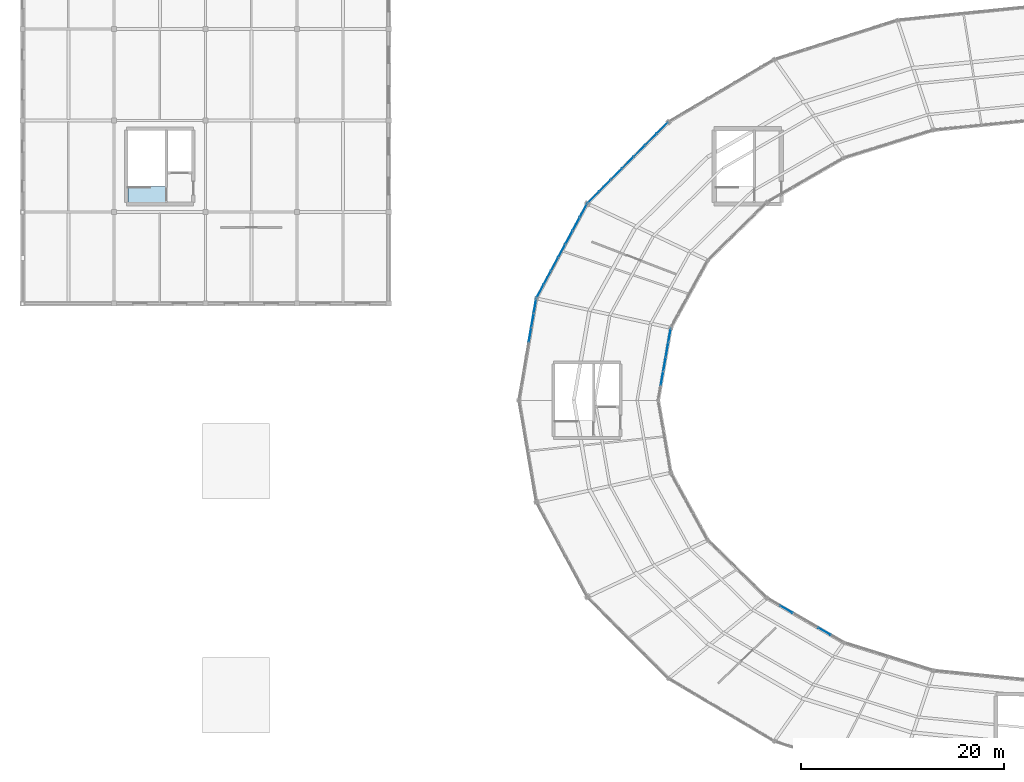
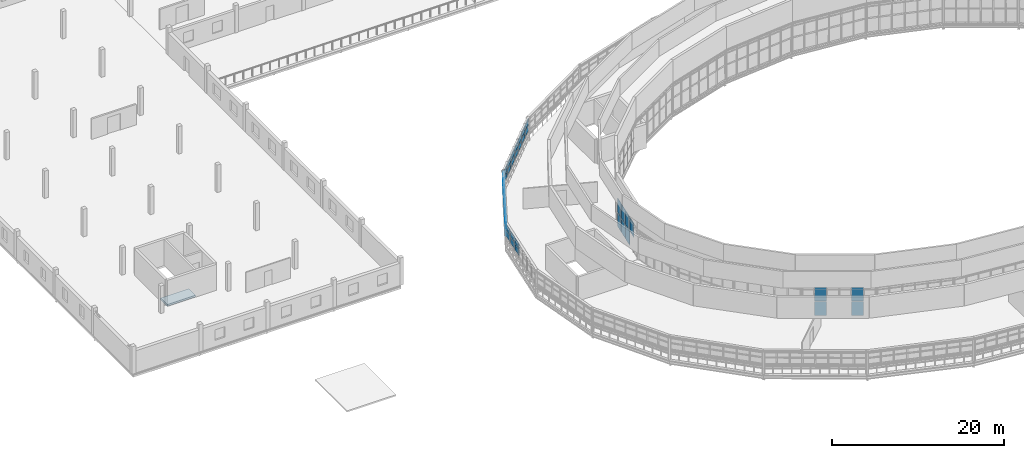
# One storey, part 80 of 123: 45 plates, 1 slab, 5 elements without a shape of their own.
"""IFC4 building model written with IfcOpenShell, lengths in metres."""

from ifc_helpers import new_model, si_unit, direction, frame, origin, origin_2d, place, context, subcontext, project, spatial, polyline, rectangle, outline, extrude, material, layer, layer_set, type_object, element, aggregate, save


model = new_model("IFC4")

# Units and contexts
model_context = context("Model", 3, precision=1e-05, world=origin(), true_north=direction((0.0, 1.0)))
body_context = subcontext(model_context, "Body", "Model", "MODEL_VIEW")
ifc_project = project(units=[si_unit("LENGTHUNIT", "METRE"), si_unit("AREAUNIT", "SQUARE_METRE"), si_unit("VOLUMEUNIT", "CUBIC_METRE"), si_unit("PLANEANGLEUNIT", "RADIAN"), si_unit("MASSUNIT", "GRAM", prefix="KILO")], contexts=[model_context])

# Site, building, storey
site_placement = place(None, origin())
site = spatial("IfcSite", under=ifc_project, at=site_placement, CompositionType="ELEMENT")
building_placement = place(site_placement, origin())
building = spatial("IfcBuilding", under=site, at=building_placement, Name="Kildeholm Park Wholesale Market", CompositionType="ELEMENT")
storey_placement = place(building_placement, frame((0.0, 0.0, 9.60009765625)))
storey = spatial("IfcBuildingStorey", under=building, at=storey_placement, Name="L02", CompositionType="ELEMENT", Elevation=9.60009765625)

# Curtain wall, plates
ifc_material_1 = material(Name="Anodised aluminium and low-E double-glazed glass", Category="aluminium")
curtain_wall_type = type_object("IfcCurtainWallType", Name="Clerestory daylight stick curtain wall CW-02", PredefinedType="NOTDEFINED", material=ifc_material_1)
curtain_wall_1_placement = place(storey_placement, origin())
curtain_wall_1 = element("IfcCurtainWall", 1, at=curtain_wall_1_placement, inside=storey, type_object=curtain_wall_type, Name="Curtain wall CW-V1-IN2-11 CW-0058", PredefinedType="NOTDEFINED")
ifc_material_2 = material(Name="Triple-glazed solar-control glass", Category="glass")
ifc_layer_1 = layer(ifc_material_2, 0.035888671875)
ifc_layer_set_1 = layer_set([ifc_layer_1], Name="Triple-glazed solar-control glass")
plate_type_1 = type_object("IfcPlateType", Name="Curtain-wall panel CWP-2 36 mm", PredefinedType="CURTAIN_PANEL", material=ifc_layer_set_1)
plate_1_placement = place(storey_placement, frame((63.6044921875, 95.8603515625, 0.06005859375), z_axis=(0.0, 0.0, 1.0), x_axis=(-0.172132515628, -0.985073802851, 0.0)))
plate_1 = element("IfcPlate", 2, at=plate_1_placement, type_object=plate_type_1, Name="CW-02 panel 1.1 PLT-0934", PredefinedType="CURTAIN_PANEL", context=body_context, shape_type="SweptSolid", body=[
    extrude(rectangle(XDim=1.339111328125, YDim=0.035888671875, at=origin_2d()), origin(), (0.0, 0.0, 1.0), 1.985107421875),
])
plate_2_placement = place(storey_placement, frame((63.6044921875, 95.8603515625, 2.10498046875), z_axis=(0.0, 0.0, 1.0), x_axis=(-0.172132515628, -0.985073802851, 0.0)))
plate_2 = element("IfcPlate", 3, at=plate_2_placement, type_object=plate_type_1, Name="CW-02 panel 1.2 PLT-0935", PredefinedType="CURTAIN_PANEL", context=body_context, shape_type="SweptSolid", body=[
    extrude(rectangle(XDim=1.339111328125, YDim=0.035888671875, at=origin_2d()), origin(), (0.0, 0.0, 1.0), 1.985107421875),
])
plate_3_placement = place(storey_placement, frame((63.361083984375, 94.46728515625, 0.06005859375), z_axis=(0.0, 0.0, 1.0), x_axis=(-0.172132515628, -0.985073802851, 0.0)))
plate_3 = element("IfcPlate", 4, at=plate_3_placement, type_object=plate_type_1, Name="CW-02 panel 2.1 PLT-0936", PredefinedType="CURTAIN_PANEL", context=body_context, shape_type="SweptSolid", body=[
    extrude(rectangle(XDim=1.369140625, YDim=0.035888671875, at=origin_2d()), origin(), (0.0, 0.0, 1.0), 1.985107421875),
])
plate_4_placement = place(storey_placement, frame((63.361083984375, 94.46728515625, 2.10498046875), z_axis=(0.0, 0.0, 1.0), x_axis=(-0.172132515628, -0.985073802851, 0.0)))
plate_4 = element("IfcPlate", 5, at=plate_4_placement, type_object=plate_type_1, Name="CW-02 panel 2.2 PLT-0937", PredefinedType="CURTAIN_PANEL", context=body_context, shape_type="SweptSolid", body=[
    extrude(rectangle(XDim=1.369140625, YDim=0.035888671875, at=origin_2d()), origin(), (0.0, 0.0, 1.0), 1.985107421875),
])
plate_5_placement = place(storey_placement, frame((63.114990234375, 93.0595703125, 0.06005859375), z_axis=(0.0, 0.0, 1.0), x_axis=(-0.172132515628, -0.985073802851, 0.0)))
plate_5 = element("IfcPlate", 6, at=plate_5_placement, type_object=plate_type_1, Name="CW-02 panel 3.1 PLT-0938", PredefinedType="CURTAIN_PANEL", context=body_context, shape_type="SweptSolid", body=[
    extrude(rectangle(XDim=1.369140625, YDim=0.035888671875, at=origin_2d()), origin(), (0.0, 0.0, 1.0), 1.985107421875),
])
plate_6_placement = place(storey_placement, frame((63.114990234375, 93.0595703125, 2.10498046875), z_axis=(0.0, 0.0, 1.0), x_axis=(-0.172132515628, -0.985073802851, 0.0)))
plate_6 = element("IfcPlate", 7, at=plate_6_placement, type_object=plate_type_1, Name="CW-02 panel 3.2 PLT-0939", PredefinedType="CURTAIN_PANEL", context=body_context, shape_type="SweptSolid", body=[
    extrude(rectangle(XDim=1.369140625, YDim=0.035888671875, at=origin_2d()), origin(), (0.0, 0.0, 1.0), 1.985107421875),
])
plate_7_placement = place(storey_placement, frame((62.868896484375, 91.651611328125, 2.10498046875), z_axis=(0.0, 0.0, 1.0), x_axis=(-0.172132515628, -0.985073802851, 0.0)))
plate_7 = element("IfcPlate", 8, at=plate_7_placement, type_object=plate_type_1, Name="CW-02 panel 4.2 PLT-0941", PredefinedType="CURTAIN_PANEL", context=body_context, shape_type="SweptSolid", body=[
    extrude(rectangle(XDim=1.369140625, YDim=0.035888671875, at=origin_2d()), origin(), (0.0, 0.0, 1.0), 1.985107421875),
])
aggregate(curtain_wall_1, [plate_1, plate_2, plate_3, plate_4, plate_5, plate_6, plate_7])

curtain_wall_2_placement = place(storey_placement, origin())
curtain_wall_2 = element("IfcCurtainWall", 9, at=curtain_wall_2_placement, inside=storey, type_object=curtain_wall_type, Name="Curtain wall CW-V1-IN2-15 CW-0078", PredefinedType="NOTDEFINED")
plate_8_placement = place(storey_placement, frame((75.094482421875, 68.948486328125, 0.06005859375), z_axis=(0.0, 0.0, 1.0), x_axis=(0.865742656621, -0.500489412982, 0.0)))
plate_8 = element("IfcPlate", 10, at=plate_8_placement, type_object=plate_type_1, Name="CW-02 panel 2.1 PLT-1186", PredefinedType="CURTAIN_PANEL", context=body_context, shape_type="SweptSolid", body=[
    extrude(rectangle(XDim=1.3818359375, YDim=0.035888671875, at=origin_2d()), origin(), (0.0, 0.0, 1.0), 1.985107421875),
])
plate_9_placement = place(storey_placement, frame((75.094482421875, 68.948486328125, 2.10498046875), z_axis=(0.0, 0.0, 1.0), x_axis=(0.865742656621, -0.500489412982, 0.0)))
plate_9 = element("IfcPlate", 11, at=plate_9_placement, type_object=plate_type_1, Name="CW-02 panel 2.2 PLT-1187", PredefinedType="CURTAIN_PANEL", context=body_context, shape_type="SweptSolid", body=[
    extrude(rectangle(XDim=1.3818359375, YDim=0.035888671875, at=origin_2d()), origin(), (0.0, 0.0, 1.0), 1.985107421875),
])
plate_10_placement = place(storey_placement, frame((78.839599609375, 66.783447265625, 0.06005859375), z_axis=(0.0, 0.0, 1.0), x_axis=(0.865742656621, -0.500489412982, 0.0)))
plate_10 = element("IfcPlate", 12, at=plate_10_placement, type_object=plate_type_1, Name="CW-02 panel 5.1 PLT-1192", PredefinedType="CURTAIN_PANEL", context=body_context, shape_type="SweptSolid", body=[
    extrude(rectangle(XDim=1.3818359375, YDim=0.035888671875, at=origin_2d()), origin(), (0.0, 0.0, 1.0), 1.985107421875),
])
plate_11_placement = place(storey_placement, frame((78.839599609375, 66.783447265625, 2.10498046875), z_axis=(0.0, 0.0, 1.0), x_axis=(0.865742656621, -0.500489412982, 0.0)))
plate_11 = element("IfcPlate", 13, at=plate_11_placement, type_object=plate_type_1, Name="CW-02 panel 5.2 PLT-1193", PredefinedType="CURTAIN_PANEL", context=body_context, shape_type="SweptSolid", body=[
    extrude(rectangle(XDim=1.3818359375, YDim=0.035888671875, at=origin_2d()), origin(), (0.0, 0.0, 1.0), 1.985107421875),
])
aggregate(curtain_wall_2, [plate_8, plate_9, plate_10, plate_11])

curtain_wall_3_placement = place(storey_placement, origin())
curtain_wall_3 = element("IfcCurtainWall", 14, at=curtain_wall_3_placement, inside=storey, type_object=curtain_wall_type, Name="Curtain wall CW-V1-CL-09 CW-0045", PredefinedType="NOTDEFINED")
ifc_material_3 = material(Name="Fritted solar-control clerestory glass", Category="glass")
ifc_layer_2 = layer(ifc_material_3, 0.031982421875)
ifc_layer_set_2 = layer_set([ifc_layer_2], Name="Fritted solar-control clerestory glass")
plate_type_2 = type_object("IfcPlateType", Name="Curtain-wall panel CWP-4 32 mm", PredefinedType="CURTAIN_PANEL", material=ifc_layer_set_2)
plate_12_placement = place(storey_placement, frame((62.8935546875, 116.260986328125, 1.40966796875), z_axis=(0.0, 0.0, 1.0), x_axis=(-0.705412692399, -0.708796820959, 0.0)))
plate_12 = element("IfcPlate", 15, at=plate_12_placement, type_object=plate_type_2, Name="CW-02 panel 1.1 PLT-0780", PredefinedType="CURTAIN_PANEL", context=body_context, shape_type="SweptSolid", body=[
    extrude(rectangle(XDim=1.51416015625, YDim=0.031982421875, at=origin_2d()), origin(), (0.0, 0.0, 1.0), 0.860107421875),
])
plate_13_placement = place(storey_placement, frame((62.8935546875, 116.260986328125, 2.330078125), z_axis=(0.0, 0.0, 1.0), x_axis=(-0.705412692399, -0.708796820959, 0.0)))
plate_13 = element("IfcPlate", 16, at=plate_13_placement, type_object=plate_type_2, Name="CW-02 panel 1.2 PLT-0781", PredefinedType="CURTAIN_PANEL", context=body_context, shape_type="SweptSolid", body=[
    extrude(rectangle(XDim=1.51416015625, YDim=0.031982421875, at=origin_2d()), origin(), (0.0, 0.0, 1.0), 0.860107421875),
])
plate_14_placement = place(storey_placement, frame((61.772705078125, 115.134521484375, 1.40966796875), z_axis=(0.0, 0.0, 1.0), x_axis=(-0.705412692399, -0.708796820959, 0.0)))
plate_14 = element("IfcPlate", 17, at=plate_14_placement, type_object=plate_type_2, Name="CW-02 panel 2.1 PLT-0782", PredefinedType="CURTAIN_PANEL", context=body_context, shape_type="SweptSolid", body=[
    extrude(rectangle(XDim=1.544189453125, YDim=0.031982421875, at=origin_2d()), origin(), (0.0, 0.0, 1.0), 0.860107421875),
])
plate_15_placement = place(storey_placement, frame((61.772705078125, 115.134521484375, 2.330078125), z_axis=(0.0, 0.0, 1.0), x_axis=(-0.705412692399, -0.708796820959, 0.0)))
plate_15 = element("IfcPlate", 18, at=plate_15_placement, type_object=plate_type_2, Name="CW-02 panel 2.2 PLT-0783", PredefinedType="CURTAIN_PANEL", context=body_context, shape_type="SweptSolid", body=[
    extrude(rectangle(XDim=1.544189453125, YDim=0.031982421875, at=origin_2d()), origin(), (0.0, 0.0, 1.0), 0.860107421875),
])
plate_16_placement = place(storey_placement, frame((60.64111328125, 113.99755859375, 1.40966796875), z_axis=(0.0, 0.0, 1.0), x_axis=(-0.705412692399, -0.708796820959, 0.0)))
plate_16 = element("IfcPlate", 19, at=plate_16_placement, type_object=plate_type_2, Name="CW-02 panel 3.1 PLT-0784", PredefinedType="CURTAIN_PANEL", context=body_context, shape_type="SweptSolid", body=[
    extrude(rectangle(XDim=1.544189453125, YDim=0.031982421875, at=origin_2d()), origin(), (0.0, 0.0, 1.0), 0.860107421875),
])
plate_17_placement = place(storey_placement, frame((60.64111328125, 113.99755859375, 2.330078125), z_axis=(0.0, 0.0, 1.0), x_axis=(-0.705412692399, -0.708796820959, 0.0)))
plate_17 = element("IfcPlate", 20, at=plate_17_placement, type_object=plate_type_2, Name="CW-02 panel 3.2 PLT-0785", PredefinedType="CURTAIN_PANEL", context=body_context, shape_type="SweptSolid", body=[
    extrude(rectangle(XDim=1.544189453125, YDim=0.031982421875, at=origin_2d()), origin(), (0.0, 0.0, 1.0), 0.860107421875),
])
plate_18_placement = place(storey_placement, frame((59.509521484375, 112.860595703125, 1.40966796875), z_axis=(0.0, 0.0, 1.0), x_axis=(-0.705412692399, -0.708796820959, 0.0)))
plate_18 = element("IfcPlate", 21, at=plate_18_placement, type_object=plate_type_2, Name="CW-02 panel 4.1 PLT-0786", PredefinedType="CURTAIN_PANEL", context=body_context, shape_type="SweptSolid", body=[
    extrude(rectangle(XDim=1.544189453125, YDim=0.031982421875, at=origin_2d()), origin(), (0.0, 0.0, 1.0), 0.860107421875),
])
plate_19_placement = place(storey_placement, frame((59.509521484375, 112.860595703125, 2.330078125), z_axis=(0.0, 0.0, 1.0), x_axis=(-0.705412692399, -0.708796820959, 0.0)))
plate_19 = element("IfcPlate", 22, at=plate_19_placement, type_object=plate_type_2, Name="CW-02 panel 4.2 PLT-0787", PredefinedType="CURTAIN_PANEL", context=body_context, shape_type="SweptSolid", body=[
    extrude(rectangle(XDim=1.544189453125, YDim=0.031982421875, at=origin_2d()), origin(), (0.0, 0.0, 1.0), 0.860107421875),
])
plate_20_placement = place(storey_placement, frame((58.3779296875, 111.723388671875, 1.40966796875), z_axis=(0.0, 0.0, 1.0), x_axis=(-0.705412692399, -0.708796820959, 0.0)))
plate_20 = element("IfcPlate", 23, at=plate_20_placement, type_object=plate_type_2, Name="CW-02 panel 5.1 PLT-0788", PredefinedType="CURTAIN_PANEL", context=body_context, shape_type="SweptSolid", body=[
    extrude(rectangle(XDim=1.544189453125, YDim=0.031982421875, at=origin_2d()), origin(), (0.0, 0.0, 1.0), 0.860107421875),
])
plate_21_placement = place(storey_placement, frame((58.3779296875, 111.723388671875, 2.330078125), z_axis=(0.0, 0.0, 1.0), x_axis=(-0.705412692399, -0.708796820959, 0.0)))
plate_21 = element("IfcPlate", 24, at=plate_21_placement, type_object=plate_type_2, Name="CW-02 panel 5.2 PLT-0789", PredefinedType="CURTAIN_PANEL", context=body_context, shape_type="SweptSolid", body=[
    extrude(rectangle(XDim=1.544189453125, YDim=0.031982421875, at=origin_2d()), origin(), (0.0, 0.0, 1.0), 0.860107421875),
])
plate_22_placement = place(storey_placement, frame((57.246337890625, 110.58642578125, 1.40966796875), z_axis=(0.0, 0.0, 1.0), x_axis=(-0.705412692399, -0.708796820959, 0.0)))
plate_22 = element("IfcPlate", 25, at=plate_22_placement, type_object=plate_type_2, Name="CW-02 panel 6.1 PLT-0790", PredefinedType="CURTAIN_PANEL", context=body_context, shape_type="SweptSolid", body=[
    extrude(rectangle(XDim=1.544189453125, YDim=0.031982421875, at=origin_2d()), origin(), (0.0, 0.0, 1.0), 0.860107421875),
])
plate_23_placement = place(storey_placement, frame((57.246337890625, 110.58642578125, 2.330078125), z_axis=(0.0, 0.0, 1.0), x_axis=(-0.705412692399, -0.708796820959, 0.0)))
plate_23 = element("IfcPlate", 26, at=plate_23_placement, type_object=plate_type_2, Name="CW-02 panel 6.2 PLT-0791", PredefinedType="CURTAIN_PANEL", context=body_context, shape_type="SweptSolid", body=[
    extrude(rectangle(XDim=1.544189453125, YDim=0.031982421875, at=origin_2d()), origin(), (0.0, 0.0, 1.0), 0.860107421875),
])
plate_24_placement = place(storey_placement, frame((56.12548828125, 109.460205078125, 1.40966796875), z_axis=(0.0, 0.0, 1.0), x_axis=(-0.705412692399, -0.708796820959, 0.0)))
plate_24 = element("IfcPlate", 27, at=plate_24_placement, type_object=plate_type_2, Name="CW-02 panel 7.1 PLT-0792", PredefinedType="CURTAIN_PANEL", context=body_context, shape_type="SweptSolid", body=[
    extrude(rectangle(XDim=1.51416015625, YDim=0.031982421875, at=origin_2d()), origin(), (0.0, 0.0, 1.0), 0.860107421875),
])
plate_25_placement = place(storey_placement, frame((56.12548828125, 109.460205078125, 2.330078125), z_axis=(0.0, 0.0, 1.0), x_axis=(-0.705412692399, -0.708796820959, 0.0)))
plate_25 = element("IfcPlate", 28, at=plate_25_placement, type_object=plate_type_2, Name="CW-02 panel 7.2 PLT-0793", PredefinedType="CURTAIN_PANEL", context=body_context, shape_type="SweptSolid", body=[
    extrude(rectangle(XDim=1.51416015625, YDim=0.031982421875, at=origin_2d()), origin(), (0.0, 0.0, 1.0), 0.860107421875),
])
aggregate(curtain_wall_3, [plate_12, plate_13, plate_14, plate_15, plate_16, plate_17, plate_18, plate_19, plate_20, plate_21, plate_22, plate_23, plate_24, plate_25])

curtain_wall_4_placement = place(storey_placement, origin())
curtain_wall_4 = element("IfcCurtainWall", 29, at=curtain_wall_4_placement, inside=storey, type_object=curtain_wall_type, Name="Curtain wall CW-V1-CL-10 CW-0050", PredefinedType="NOTDEFINED")
plate_26_placement = place(storey_placement, frame((55.138427734375, 108.14208984375, 1.40966796875), z_axis=(0.0, 0.0, 1.0), x_axis=(-0.473339828092, -0.880879905062, 0.0)))
plate_26 = element("IfcPlate", 30, at=plate_26_placement, type_object=plate_type_2, Name="CW-02 panel 1.1 PLT-0840", PredefinedType="CURTAIN_PANEL", context=body_context, shape_type="SweptSolid", body=[
    extrude(rectangle(XDim=1.412353515625, YDim=0.031982421875, at=origin_2d()), origin(), (0.0, 0.0, 1.0), 0.860107421875),
])
plate_27_placement = place(storey_placement, frame((55.138427734375, 108.14208984375, 2.330078125), z_axis=(0.0, 0.0, 1.0), x_axis=(-0.473339828092, -0.880879905062, 0.0)))
plate_27 = element("IfcPlate", 31, at=plate_27_placement, type_object=plate_type_2, Name="CW-02 panel 1.2 PLT-0841", PredefinedType="CURTAIN_PANEL", context=body_context, shape_type="SweptSolid", body=[
    extrude(rectangle(XDim=1.412353515625, YDim=0.031982421875, at=origin_2d()), origin(), (0.0, 0.0, 1.0), 0.860107421875),
])
plate_28_placement = place(storey_placement, frame((54.434326171875, 106.831787109375, 1.40966796875), z_axis=(0.0, 0.0, 1.0), x_axis=(-0.473339828092, -0.880879905062, 0.0)))
plate_28 = element("IfcPlate", 32, at=plate_28_placement, type_object=plate_type_2, Name="CW-02 panel 2.1 PLT-0842", PredefinedType="CURTAIN_PANEL", context=body_context, shape_type="SweptSolid", body=[
    extrude(rectangle(XDim=1.4423828125, YDim=0.031982421875, at=origin_2d()), origin(), (0.0, 0.0, 1.0), 0.860107421875),
])
plate_29_placement = place(storey_placement, frame((54.434326171875, 106.831787109375, 2.330078125), z_axis=(0.0, 0.0, 1.0), x_axis=(-0.473339828092, -0.880879905062, 0.0)))
plate_29 = element("IfcPlate", 33, at=plate_29_placement, type_object=plate_type_2, Name="CW-02 panel 2.2 PLT-0843", PredefinedType="CURTAIN_PANEL", context=body_context, shape_type="SweptSolid", body=[
    extrude(rectangle(XDim=1.4423828125, YDim=0.031982421875, at=origin_2d()), origin(), (0.0, 0.0, 1.0), 0.860107421875),
])
plate_30_placement = place(storey_placement, frame((53.72314453125, 105.508544921875, 1.40966796875), z_axis=(0.0, 0.0, 1.0), x_axis=(-0.473339828092, -0.880879905062, 0.0)))
plate_30 = element("IfcPlate", 34, at=plate_30_placement, type_object=plate_type_2, Name="CW-02 panel 3.1 PLT-0844", PredefinedType="CURTAIN_PANEL", context=body_context, shape_type="SweptSolid", body=[
    extrude(rectangle(XDim=1.4423828125, YDim=0.031982421875, at=origin_2d()), origin(), (0.0, 0.0, 1.0), 0.860107421875),
])
plate_31_placement = place(storey_placement, frame((53.72314453125, 105.508544921875, 2.330078125), z_axis=(0.0, 0.0, 1.0), x_axis=(-0.473339828092, -0.880879905062, 0.0)))
plate_31 = element("IfcPlate", 35, at=plate_31_placement, type_object=plate_type_2, Name="CW-02 panel 3.2 PLT-0845", PredefinedType="CURTAIN_PANEL", context=body_context, shape_type="SweptSolid", body=[
    extrude(rectangle(XDim=1.4423828125, YDim=0.031982421875, at=origin_2d()), origin(), (0.0, 0.0, 1.0), 0.860107421875),
])
plate_32_placement = place(storey_placement, frame((53.011962890625, 104.18505859375, 1.40966796875), z_axis=(0.0, 0.0, 1.0), x_axis=(-0.473339828092, -0.880879905062, 0.0)))
plate_32 = element("IfcPlate", 36, at=plate_32_placement, type_object=plate_type_2, Name="CW-02 panel 4.1 PLT-0846", PredefinedType="CURTAIN_PANEL", context=body_context, shape_type="SweptSolid", body=[
    extrude(rectangle(XDim=1.4423828125, YDim=0.031982421875, at=origin_2d()), origin(), (0.0, 0.0, 1.0), 0.860107421875),
])
plate_33_placement = place(storey_placement, frame((53.011962890625, 104.18505859375, 2.330078125), z_axis=(0.0, 0.0, 1.0), x_axis=(-0.473339828092, -0.880879905062, 0.0)))
plate_33 = element("IfcPlate", 37, at=plate_33_placement, type_object=plate_type_2, Name="CW-02 panel 4.2 PLT-0847", PredefinedType="CURTAIN_PANEL", context=body_context, shape_type="SweptSolid", body=[
    extrude(rectangle(XDim=1.4423828125, YDim=0.031982421875, at=origin_2d()), origin(), (0.0, 0.0, 1.0), 0.860107421875),
])
plate_34_placement = place(storey_placement, frame((52.30078125, 102.861572265625, 1.40966796875), z_axis=(0.0, 0.0, 1.0), x_axis=(-0.473339828092, -0.880879905062, 0.0)))
plate_34 = element("IfcPlate", 38, at=plate_34_placement, type_object=plate_type_2, Name="CW-02 panel 5.1 PLT-0848", PredefinedType="CURTAIN_PANEL", context=body_context, shape_type="SweptSolid", body=[
    extrude(rectangle(XDim=1.4423828125, YDim=0.031982421875, at=origin_2d()), origin(), (0.0, 0.0, 1.0), 0.860107421875),
])
plate_35_placement = place(storey_placement, frame((52.30078125, 102.861572265625, 2.330078125), z_axis=(0.0, 0.0, 1.0), x_axis=(-0.473339828092, -0.880879905062, 0.0)))
plate_35 = element("IfcPlate", 39, at=plate_35_placement, type_object=plate_type_2, Name="CW-02 panel 5.2 PLT-0849", PredefinedType="CURTAIN_PANEL", context=body_context, shape_type="SweptSolid", body=[
    extrude(rectangle(XDim=1.4423828125, YDim=0.031982421875, at=origin_2d()), origin(), (0.0, 0.0, 1.0), 0.860107421875),
])
plate_36_placement = place(storey_placement, frame((51.589599609375, 101.5380859375, 1.40966796875), z_axis=(0.0, 0.0, 1.0), x_axis=(-0.473339828092, -0.880879905062, 0.0)))
plate_36 = element("IfcPlate", 40, at=plate_36_placement, type_object=plate_type_2, Name="CW-02 panel 6.1 PLT-0850", PredefinedType="CURTAIN_PANEL", context=body_context, shape_type="SweptSolid", body=[
    extrude(rectangle(XDim=1.4423828125, YDim=0.031982421875, at=origin_2d()), origin(), (0.0, 0.0, 1.0), 0.860107421875),
])
plate_37_placement = place(storey_placement, frame((51.589599609375, 101.5380859375, 2.330078125), z_axis=(0.0, 0.0, 1.0), x_axis=(-0.473339828092, -0.880879905062, 0.0)))
plate_37 = element("IfcPlate", 41, at=plate_37_placement, type_object=plate_type_2, Name="CW-02 panel 6.2 PLT-0851", PredefinedType="CURTAIN_PANEL", context=body_context, shape_type="SweptSolid", body=[
    extrude(rectangle(XDim=1.4423828125, YDim=0.031982421875, at=origin_2d()), origin(), (0.0, 0.0, 1.0), 0.860107421875),
])
plate_38_placement = place(storey_placement, frame((50.8857421875, 100.22802734375, 1.40966796875), z_axis=(0.0, 0.0, 1.0), x_axis=(-0.473339828092, -0.880879905062, 0.0)))
plate_38 = element("IfcPlate", 42, at=plate_38_placement, type_object=plate_type_2, Name="CW-02 panel 7.1 PLT-0852", PredefinedType="CURTAIN_PANEL", context=body_context, shape_type="SweptSolid", body=[
    extrude(rectangle(XDim=1.412353515625, YDim=0.031982421875, at=origin_2d()), origin(), (0.0, 0.0, 1.0), 0.860107421875),
])
plate_39_placement = place(storey_placement, frame((50.8857421875, 100.22802734375, 2.330078125), z_axis=(0.0, 0.0, 1.0), x_axis=(-0.473339828092, -0.880879905062, 0.0)))
plate_39 = element("IfcPlate", 43, at=plate_39_placement, type_object=plate_type_2, Name="CW-02 panel 7.2 PLT-0853", PredefinedType="CURTAIN_PANEL", context=body_context, shape_type="SweptSolid", body=[
    extrude(rectangle(XDim=1.412353515625, YDim=0.031982421875, at=origin_2d()), origin(), (0.0, 0.0, 1.0), 0.860107421875),
])
aggregate(curtain_wall_4, [plate_26, plate_27, plate_28, plate_29, plate_30, plate_31, plate_32, plate_33, plate_34, plate_35, plate_36, plate_37, plate_38, plate_39])

curtain_wall_5_placement = place(storey_placement, origin())
curtain_wall_5 = element("IfcCurtainWall", 44, at=curtain_wall_5_placement, inside=storey, type_object=curtain_wall_type, Name="Curtain wall CW-V1-CL-11 CW-0055", PredefinedType="NOTDEFINED")
plate_40_placement = place(storey_placement, frame((50.373291015625, 98.75341796875, 1.40966796875), z_axis=(0.0, 0.0, 1.0), x_axis=(-0.168322320564, -0.985732010437, 0.0)))
plate_40 = element("IfcPlate", 45, at=plate_40_placement, type_object=plate_type_2, Name="CW-02 panel 1.1 PLT-0900", PredefinedType="CURTAIN_PANEL", context=body_context, shape_type="SweptSolid", body=[
    extrude(rectangle(XDim=1.350341796875, YDim=0.031982421875, at=origin_2d()), origin(), (0.0, 0.0, 1.0), 0.860107421875),
])
plate_41_placement = place(storey_placement, frame((50.373291015625, 98.75341796875, 2.330078125), z_axis=(0.0, 0.0, 1.0), x_axis=(-0.168322320564, -0.985732010437, 0.0)))
plate_41 = element("IfcPlate", 46, at=plate_41_placement, type_object=plate_type_2, Name="CW-02 panel 1.2 PLT-0901", PredefinedType="CURTAIN_PANEL", context=body_context, shape_type="SweptSolid", body=[
    extrude(rectangle(XDim=1.350341796875, YDim=0.031982421875, at=origin_2d()), origin(), (0.0, 0.0, 1.0), 0.860107421875),
])
plate_42_placement = place(storey_placement, frame((50.13330078125, 97.348388671875, 1.40966796875), z_axis=(0.0, 0.0, 1.0), x_axis=(-0.168322320564, -0.985732010437, 0.0)))
plate_42 = element("IfcPlate", 47, at=plate_42_placement, type_object=plate_type_2, Name="CW-02 panel 2.1 PLT-0902", PredefinedType="CURTAIN_PANEL", context=body_context, shape_type="SweptSolid", body=[
    extrude(rectangle(XDim=1.38037109375, YDim=0.031982421875, at=origin_2d()), origin(), (0.0, 0.0, 1.0), 0.860107421875),
])
plate_43_placement = place(storey_placement, frame((50.13330078125, 97.348388671875, 2.330078125), z_axis=(0.0, 0.0, 1.0), x_axis=(-0.168322320564, -0.985732010437, 0.0)))
plate_43 = element("IfcPlate", 48, at=plate_43_placement, type_object=plate_type_2, Name="CW-02 panel 2.2 PLT-0903", PredefinedType="CURTAIN_PANEL", context=body_context, shape_type="SweptSolid", body=[
    extrude(rectangle(XDim=1.38037109375, YDim=0.031982421875, at=origin_2d()), origin(), (0.0, 0.0, 1.0), 0.860107421875),
])
plate_44_placement = place(storey_placement, frame((49.890869140625, 95.9287109375, 1.40966796875), z_axis=(0.0, 0.0, 1.0), x_axis=(-0.168322320564, -0.985732010437, 0.0)))
plate_44 = element("IfcPlate", 49, at=plate_44_placement, type_object=plate_type_2, Name="CW-02 panel 3.1 PLT-0904", PredefinedType="CURTAIN_PANEL", context=body_context, shape_type="SweptSolid", body=[
    extrude(rectangle(XDim=1.38037109375, YDim=0.031982421875, at=origin_2d()), origin(), (0.0, 0.0, 1.0), 0.860107421875),
])
plate_45_placement = place(storey_placement, frame((49.890869140625, 95.9287109375, 2.330078125), z_axis=(0.0, 0.0, 1.0), x_axis=(-0.168322320564, -0.985732010437, 0.0)))
plate_45 = element("IfcPlate", 50, at=plate_45_placement, type_object=plate_type_2, Name="CW-02 panel 3.2 PLT-0905", PredefinedType="CURTAIN_PANEL", context=body_context, shape_type="SweptSolid", body=[
    extrude(rectangle(XDim=1.38037109375, YDim=0.031982421875, at=origin_2d()), origin(), (0.0, 0.0, 1.0), 0.860107421875),
])
aggregate(curtain_wall_5, [plate_40, plate_41, plate_42, plate_43, plate_44, plate_45])

# Slab
ifc_material_4 = material(Name="Concrete C35/45", Category="concrete")
ifc_layer_3 = layer(ifc_material_4, 0.239990234375)
ifc_layer_set_3 = layer_set([ifc_layer_3], Name="Concrete C35/45")
slab_type = type_object("IfcSlabType", Name="Stair landing slab S-LD1 240 mm", PredefinedType="LANDING", material=ifc_layer_set_3)
slab_placement = place(storey_placement, frame((0.0, 0.0, -0.239990234375)))
element("IfcSlab", 51, at=slab_placement, inside=storey, type_object=slab_type, Name="Core C01 stair landing slab L02 SLB-0408", PredefinedType="LANDING", context=body_context, shape_type="SweptSolid", body=[
    extrude(outline(polyline([(10.35009765625, 108.949951171875), (14.14990234375, 108.949951171875), (14.14990234375, 110.5), (10.35009765625, 110.5), (10.35009765625, 108.949951171875)])), origin(), (0.0, 0.0, 1.0), 0.239990234375),
])

save(model, "model.ifc")
